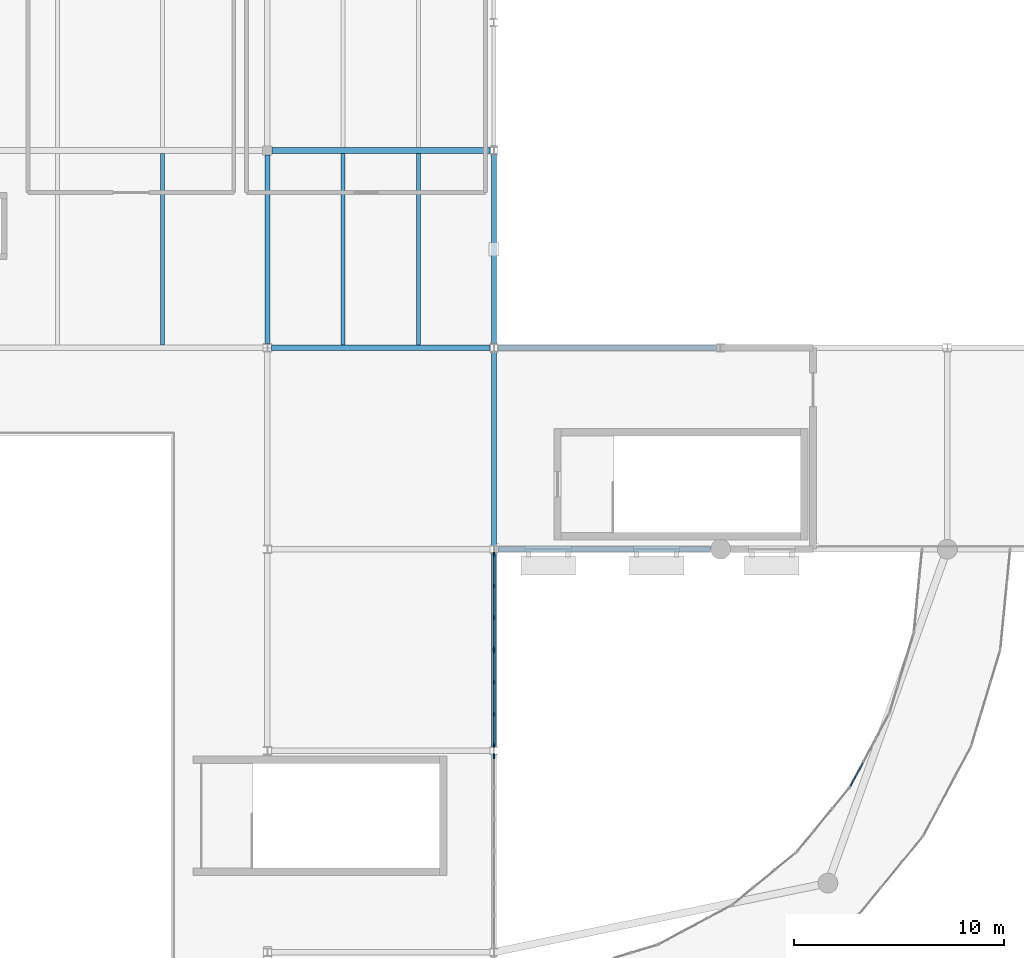
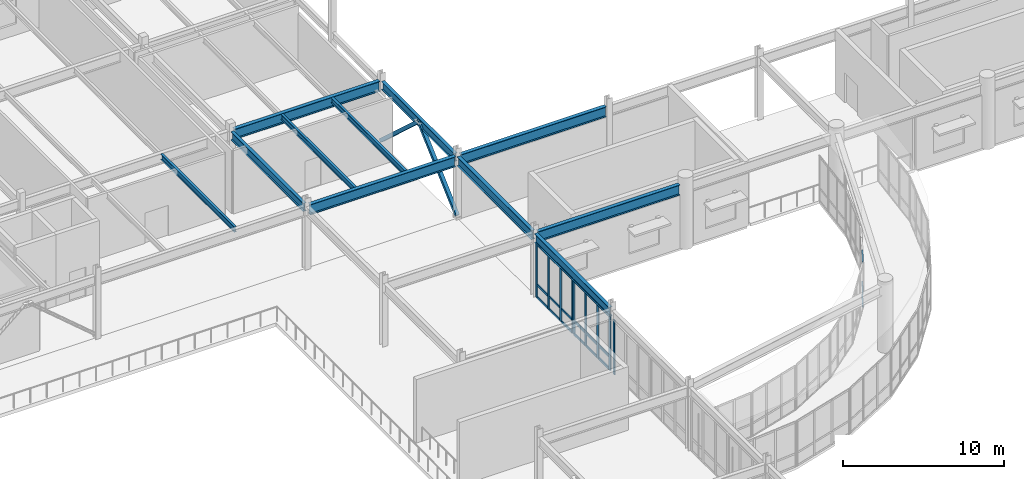
# One storey, part 24 of 68: 32 members, 11 beams, 4 elements without a shape of their own.
"""IFC4 building model written with IfcOpenShell, lengths in metres."""

from ifc_helpers import new_model, si_unit, direction, frame, origin, origin_2d, place, context, subcontext, project, spatial, rectangle, hollow_rectangle, i_section, extrude, material, material_profile, profile_set, type_object, element, aggregate, save


model = new_model("IFC4")

# Units and contexts
model_context = context("Model", 3, precision=1e-05, world=origin(), true_north=direction((0.0, 1.0)))
body_context = subcontext(model_context, "Body", "Model", "MODEL_VIEW")
ifc_project = project(units=[si_unit("LENGTHUNIT", "METRE"), si_unit("AREAUNIT", "SQUARE_METRE"), si_unit("VOLUMEUNIT", "CUBIC_METRE"), si_unit("PLANEANGLEUNIT", "RADIAN"), si_unit("MASSUNIT", "GRAM", prefix="KILO")], contexts=[model_context])

# Site, building, storey
site_placement = place(None, origin())
site = spatial("IfcSite", under=ifc_project, at=site_placement, CompositionType="ELEMENT")
building_placement = place(site_placement, origin())
building = spatial("IfcBuilding", under=site, at=building_placement, Name="Veldera Park Congress Hotel", CompositionType="ELEMENT")
storey_placement = place(building_placement, frame((0.0, 0.0, 10.800048828125)))
storey = spatial("IfcBuildingStorey", under=building, at=storey_placement, Name="L02", CompositionType="ELEMENT", Elevation=10.800048828125)

# Beams
ifc_material_1 = material(Name="Steel ASTM A992 Gr.50", Category="steel")
ifc_material_profile_1 = material_profile(ifc_material_1, i_section(OverallWidth=0.22998046875, OverallDepth=0.616943359375, WebThickness=0.01318359375, FlangeThickness=0.022216796875, at=origin_2d()), Name="W24X94")
ifc_profile_set_1 = profile_set([ifc_material_profile_1], Name="Steel ASTM A992 Gr.50")
beam_type_1 = type_object("IfcBeamType", Name="BM-W24B", PredefinedType="BEAM", material=ifc_profile_set_1)
beam_1_placement = place(storey_placement, frame((-12.39990234375, 27.196533203125, 4.491455078125), z_axis=(0.0, 1.0, 0.0), x_axis=(-1.0, 0.0, 0.0)))
element("IfcBeam", 1, at=beam_1_placement, inside=storey, type_object=beam_type_1, Name="L02 Girder BM-W24B 963", PredefinedType="BEAM", context=body_context, shape_type="SweptSolid", body=[
    extrude(i_section(OverallWidth=0.22998046875, OverallDepth=0.616943359375, WebThickness=0.01318359375, FlangeThickness=0.022216796875, at=origin_2d()), origin(), (0.0, 0.0, 1.0), 8.978515625),
])
beam_2_placement = place(storey_placement, frame((-1.60009765625, 27.18408203125, 4.491455078125), z_axis=(0.0, 1.0, 0.0), x_axis=(-1.0, 0.0, 0.0)))
element("IfcBeam", 2, at=beam_2_placement, inside=storey, type_object=beam_type_1, Name="L02 Girder BM-W24B 971", PredefinedType="BEAM", context=body_context, shape_type="SweptSolid", body=[
    extrude(i_section(OverallWidth=0.22998046875, OverallDepth=0.616943359375, WebThickness=0.01318359375, FlangeThickness=0.022216796875, at=origin_2d()), origin(), (0.0, 0.0, 1.0), 9.030029296875),
])
ifc_material_profile_2 = material_profile(ifc_material_1, i_section(OverallWidth=0.256103515625, OverallDepth=0.693115234375, WebThickness=0.014404296875, FlangeThickness=0.023681640625, at=origin_2d()), Name="W27X114")
ifc_profile_set_2 = profile_set([ifc_material_profile_2], Name="Steel ASTM A992 Gr.50")
beam_type_2 = type_object("IfcBeamType", Name="BM-W27", PredefinedType="BEAM", material=ifc_profile_set_2)
beam_3_placement = place(storey_placement, frame((-1.60009765625, 7.98388671875, 4.453369140625), z_axis=(0.0, 1.0, 0.0), x_axis=(-1.0, 0.0, 0.0)))
element("IfcBeam", 3, at=beam_3_placement, inside=storey, type_object=beam_type_2, Name="L02 Girder BM-W27 969", PredefinedType="BEAM", context=body_context, shape_type="SweptSolid", body=[
    extrude(i_section(OverallWidth=0.256103515625, OverallDepth=0.693115234375, WebThickness=0.014404296875, FlangeThickness=0.023681640625, at=origin_2d()), origin(), (0.0, 0.0, 1.0), 9.232177734375),
])
beam_4_placement = place(storey_placement, frame((-1.60009765625, 17.583984375, 4.453369140625), z_axis=(0.0, 1.0, 0.0), x_axis=(-1.0, 0.0, 0.0)))
element("IfcBeam", 4, at=beam_4_placement, inside=storey, type_object=beam_type_2, Name="L02 Girder BM-W27 970", PredefinedType="BEAM", context=body_context, shape_type="SweptSolid", body=[
    extrude(i_section(OverallWidth=0.256103515625, OverallDepth=0.693115234375, WebThickness=0.014404296875, FlangeThickness=0.023681640625, at=origin_2d()), origin(), (0.0, 0.0, 1.0), 9.23193359375),
])
ifc_material_profile_3 = material_profile(ifc_material_1, i_section(OverallWidth=0.26708984375, OverallDepth=0.779052734375, WebThickness=0.0166015625, FlangeThickness=0.030029296875, at=origin_2d()), Name="W30X148")
ifc_profile_set_3 = profile_set([ifc_material_profile_3], Name="Steel ASTM A992 Gr.50")
beam_type_3 = type_object("IfcBeamType", Name="BM-W30", PredefinedType="BEAM", material=ifc_profile_set_3)
beam_5_placement = place(storey_placement, frame((-1.41357421875, 17.39990234375, 4.410400390625), z_axis=(1.0, 0.0, 0.0), x_axis=(0.0, 1.0, 0.0)))
element("IfcBeam", 5, at=beam_5_placement, inside=storey, type_object=beam_type_3, Name="L02 Girder BM-W30 868", PredefinedType="BEAM", context=body_context, shape_type="SweptSolid", body=[
    extrude(i_section(OverallWidth=0.26708984375, OverallDepth=0.779052734375, WebThickness=0.0166015625, FlangeThickness=0.030029296875, at=origin_2d()), origin(), (0.0, 0.0, 1.0), 10.138671875),
])
beam_6_placement = place(storey_placement, frame((-12.200439453125, 27.0, 4.410400390625), z_axis=(1.0, 0.0, 0.0), x_axis=(0.0, 1.0, 0.0)))
element("IfcBeam", 6, at=beam_6_placement, inside=storey, type_object=beam_type_3, Name="L02 Girder BM-W30 882", PredefinedType="BEAM", context=body_context, shape_type="SweptSolid", body=[
    extrude(i_section(OverallWidth=0.26708984375, OverallDepth=0.779052734375, WebThickness=0.0166015625, FlangeThickness=0.030029296875, at=origin_2d()), origin(), (0.0, 0.0, 1.0), 10.413818359375),
])
beam_7_placement = place(storey_placement, frame((-1.41357421875, 27.0, 4.410400390625), z_axis=(1.0, 0.0, 0.0), x_axis=(0.0, 1.0, 0.0)))
element("IfcBeam", 7, at=beam_7_placement, inside=storey, type_object=beam_type_3, Name="L02 Girder BM-W30 883", PredefinedType="BEAM", context=body_context, shape_type="SweptSolid", body=[
    extrude(i_section(OverallWidth=0.26708984375, OverallDepth=0.779052734375, WebThickness=0.0166015625, FlangeThickness=0.030029296875, at=origin_2d()), origin(), (0.0, 0.0, 1.0), 10.4150390625),
])
beam_8_placement = place(storey_placement, frame((-12.175048828125, 36.39990234375, 4.410400390625), z_axis=(1.0, 0.0, 0.0), x_axis=(0.0, 1.0, 0.0)))
element("IfcBeam", 8, at=beam_8_placement, inside=storey, type_object=beam_type_3, Name="L02 Girder BM-W30 896", PredefinedType="BEAM", context=body_context, shape_type="SweptSolid", body=[
    extrude(i_section(OverallWidth=0.26708984375, OverallDepth=0.779052734375, WebThickness=0.0166015625, FlangeThickness=0.030029296875, at=origin_2d()), origin(), (0.0, 0.0, 1.0), 10.387939453125),
])

# Members
ifc_material_2 = material(Name="Steel ASTM A500 Gr.C", Category="steel")
ifc_material_profile_4 = material_profile(ifc_material_2, hollow_rectangle(XDim=0.25, YDim=0.25, WallThickness=0.01611328125, at=origin_2d()), Name="HSS250X250X16")
ifc_profile_set_4 = profile_set([ifc_material_profile_4], Name="Steel ASTM A500 Gr.C")
member_type_1 = type_object("IfcMemberType", Name="BRC-HSS250", PredefinedType="BRACE", material=ifc_profile_set_4)
for number, where, z_axis, x_axis, name in (
    (9, (-1.60009765625, 27.0, 0.199951171875), (0.0, 0.738466392775, 0.674290283736), (-1.0, 0.0, 0.0), "L02 Chevron Brace 15A"),
    (10, (-1.60009765625, 36.39990234375, 0.199951171875), (0.0, -0.738466392775, 0.674290283736), (1.0, 0.0, 0.0), "L02 Chevron Brace 15B"),
):
    element("IfcMember", number, at=place(storey_placement, frame(where, z_axis=z_axis, x_axis=x_axis)), inside=storey, type_object=member_type_1, Name=name, PredefinedType="BRACE", context=body_context, shape_type="SweptSolid", body=[
        extrude(hollow_rectangle(XDim=0.25, YDim=0.25, WallThickness=0.01611328125, at=origin_2d()), origin(), (0.0, 0.0, 1.0), 6.364501953125),
    ])

# Curtain wall, member
ifc_material_3 = material(Name="Low-E Triple Insulating Glass Unit (SHGC 0.22)", Category="glass")
curtain_wall_type_1 = type_object("IfcCurtainWallType", Name="CW-POD", PredefinedType="NOTDEFINED", material=ifc_material_3)
curtain_wall_1_placement = place(storey_placement, origin())
curtain_wall_1 = element("IfcCurtainWall", 11, at=curtain_wall_1_placement, inside=storey, type_object=curtain_wall_type_1, Name="L02 Curtain Wall CW3-V1E-L02-070", PredefinedType="NOTDEFINED")
ifc_material_4 = material(Name="Anodised Aluminium Alloy 6063-T6", Category="aluminium")
ifc_material_profile_5 = material_profile(ifc_material_4, rectangle(XDim=0.080078125, YDim=0.219970703125, at=origin_2d()), Name="ALU 80x220")
ifc_profile_set_5 = profile_set([ifc_material_profile_5], Name="Anodised Aluminium Alloy 6063-T6")
member_type_2 = type_object("IfcMemberType", Name="CWM-220", PredefinedType="MULLION", material=ifc_profile_set_5)
member_1_placement = place(storey_placement, frame((-1.60009765625, 7.535888671875, 0.0), z_axis=(0.0, 0.0, 1.0), x_axis=(-1.0, 0.0, 0.0)))
member_1 = element("IfcMember", 12, at=member_1_placement, type_object=member_type_2, Name="CW-POD mullion 4", PredefinedType="MULLION", context=body_context, shape_type="SweptSolid", body=[
    extrude(rectangle(XDim=0.080078125, YDim=0.219970703125, at=origin_2d()), origin(), (0.0, 0.0, 1.0), 4.10205078125),
])
aggregate(curtain_wall_1, [member_1])

# Curtain wall, members
curtain_wall_2_placement = place(storey_placement, origin())
curtain_wall_2 = element("IfcCurtainWall", 13, at=curtain_wall_2_placement, inside=storey, type_object=curtain_wall_type_1, Name="L02 Curtain Wall CW3-V1E-L02-071", PredefinedType="NOTDEFINED")
member_2_placement = place(storey_placement, frame((-1.60009765625, 8.06396484375, 0.0), z_axis=(0.0, 0.0, 1.0), x_axis=(-1.0, 0.0, 0.0)))
member_2 = element("IfcMember", 14, at=member_2_placement, type_object=member_type_2, Name="CW-POD mullion 1", PredefinedType="MULLION", context=body_context, shape_type="SweptSolid", body=[
    extrude(rectangle(XDim=0.080078125, YDim=0.219970703125, at=origin_2d()), origin(), (0.0, 0.0, 1.0), 4.10205078125),
])
member_3_placement = place(storey_placement, frame((-1.60009765625, 9.54443359375, 0.0), z_axis=(0.0, 0.0, 1.0), x_axis=(-1.0, 0.0, 0.0)))
member_3 = element("IfcMember", 15, at=member_3_placement, type_object=member_type_2, Name="CW-POD mullion 2", PredefinedType="MULLION", context=body_context, shape_type="SweptSolid", body=[
    extrude(rectangle(XDim=0.080078125, YDim=0.219970703125, at=origin_2d()), origin(), (0.0, 0.0, 1.0), 4.10205078125),
])
member_4_placement = place(storey_placement, frame((-1.60009765625, 11.064697265625, 0.0), z_axis=(0.0, 0.0, 1.0), x_axis=(-1.0, 0.0, 0.0)))
member_4 = element("IfcMember", 16, at=member_4_placement, type_object=member_type_2, Name="CW-POD mullion 3", PredefinedType="MULLION", context=body_context, shape_type="SweptSolid", body=[
    extrude(rectangle(XDim=0.080078125, YDim=0.219970703125, at=origin_2d()), origin(), (0.0, 0.0, 1.0), 4.10205078125),
])
member_5_placement = place(storey_placement, frame((-1.60009765625, 12.544921875, 0.0), z_axis=(0.0, 0.0, 1.0), x_axis=(-1.0, 0.0, 0.0)))
member_5 = element("IfcMember", 17, at=member_5_placement, type_object=member_type_2, Name="CW-POD mullion 4", PredefinedType="MULLION", context=body_context, shape_type="SweptSolid", body=[
    extrude(rectangle(XDim=0.080078125, YDim=0.219970703125, at=origin_2d()), origin(), (0.0, 0.0, 1.0), 4.10205078125),
])

curtain_wall_3_placement = place(storey_placement, origin())
curtain_wall_3 = element("IfcCurtainWall", 18, at=curtain_wall_3_placement, inside=storey, type_object=curtain_wall_type_1, Name="L02 Curtain Wall CW3-V1E-L02-072", PredefinedType="NOTDEFINED")
member_6_placement = place(storey_placement, frame((-1.60009765625, 12.655029296875, 0.0), z_axis=(0.0, 0.0, 1.0), x_axis=(-1.0, 0.0, 0.0)))
member_6 = element("IfcMember", 19, at=member_6_placement, type_object=member_type_2, Name="CW-POD mullion 1", PredefinedType="MULLION", context=body_context, shape_type="SweptSolid", body=[
    extrude(rectangle(XDim=0.080078125, YDim=0.219970703125, at=origin_2d()), origin(), (0.0, 0.0, 1.0), 4.10205078125),
])
member_7_placement = place(storey_placement, frame((-1.60009765625, 14.13525390625, 0.0), z_axis=(0.0, 0.0, 1.0), x_axis=(-1.0, 0.0, 0.0)))
member_7 = element("IfcMember", 20, at=member_7_placement, type_object=member_type_2, Name="CW-POD mullion 2", PredefinedType="MULLION", context=body_context, shape_type="SweptSolid", body=[
    extrude(rectangle(XDim=0.080078125, YDim=0.219970703125, at=origin_2d()), origin(), (0.0, 0.0, 1.0), 4.10205078125),
])
member_8_placement = place(storey_placement, frame((-1.60009765625, 15.65576171875, 0.0), z_axis=(0.0, 0.0, 1.0), x_axis=(-1.0, 0.0, 0.0)))
member_8 = element("IfcMember", 21, at=member_8_placement, type_object=member_type_2, Name="CW-POD mullion 3", PredefinedType="MULLION", context=body_context, shape_type="SweptSolid", body=[
    extrude(rectangle(XDim=0.080078125, YDim=0.219970703125, at=origin_2d()), origin(), (0.0, 0.0, 1.0), 4.10205078125),
])
member_9_placement = place(storey_placement, frame((-1.60009765625, 17.135986328125, 0.0), z_axis=(0.0, 0.0, 1.0), x_axis=(-1.0, 0.0, 0.0)))
member_9 = element("IfcMember", 22, at=member_9_placement, type_object=member_type_2, Name="CW-POD mullion 4", PredefinedType="MULLION", context=body_context, shape_type="SweptSolid", body=[
    extrude(rectangle(XDim=0.080078125, YDim=0.219970703125, at=origin_2d()), origin(), (0.0, 0.0, 1.0), 4.10205078125),
])

curtain_wall_type_2 = type_object("IfcCurtainWallType", Name="CW-BRG", PredefinedType="NOTDEFINED", material=ifc_material_3)
curtain_wall_4_placement = place(storey_placement, origin())
curtain_wall_4 = element("IfcCurtainWall", 23, at=curtain_wall_4_placement, inside=storey, type_object=curtain_wall_type_2, Name="L02 Curtain Wall CW3-BRGW-L02-B11", PredefinedType="NOTDEFINED")
ifc_material_profile_6 = material_profile(ifc_material_4, rectangle(XDim=0.06005859375, YDim=0.1201171875, at=origin_2d()), Name="ALU 60x120")
ifc_profile_set_6 = profile_set([ifc_material_profile_6], Name="Anodised Aluminium Alloy 6063-T6")
member_type_3 = type_object("IfcMemberType", Name="CWT-120", PredefinedType="USERDEFINED", material=ifc_profile_set_6)
member_10_placement = place(storey_placement, frame((15.976318359375, 7.215576171875, 0.030029296875), z_axis=(-0.471403611449, -0.881917589752, 0.0), x_axis=(0.881917589752, -0.471403611449, 0.0)))
member_10 = element("IfcMember", 24, at=member_10_placement, type_object=member_type_3, Name="CW-BRG transom 3.1", ObjectType="TRANSOM", PredefinedType="USERDEFINED", context=body_context, shape_type="SweptSolid", body=[
    extrude(rectangle(XDim=0.06005859375, YDim=0.1201171875, at=origin_2d()), origin(), (0.0, 0.0, 1.0), 1.242919921875),
])
member_11_placement = place(storey_placement, frame((15.976318359375, 7.215576171875, 1.0), z_axis=(-0.471403611449, -0.881917589752, 0.0), x_axis=(0.881917589752, -0.471403611449, 0.0)))
member_11 = element("IfcMember", 25, at=member_11_placement, type_object=member_type_3, Name="CW-BRG transom 3.2", ObjectType="TRANSOM", PredefinedType="USERDEFINED", context=body_context, shape_type="SweptSolid", body=[
    extrude(rectangle(XDim=0.06005859375, YDim=0.1201171875, at=origin_2d()), origin(), (0.0, 0.0, 1.0), 1.242919921875),
])
member_12_placement = place(storey_placement, frame((15.976318359375, 7.215576171875, 3.369873046875), z_axis=(-0.471403611449, -0.881917589752, 0.0), x_axis=(0.881917589752, -0.471403611449, 0.0)))
member_12 = element("IfcMember", 26, at=member_12_placement, type_object=member_type_3, Name="CW-BRG transom 3.3", ObjectType="TRANSOM", PredefinedType="USERDEFINED", context=body_context, shape_type="SweptSolid", body=[
    extrude(rectangle(XDim=0.06005859375, YDim=0.1201171875, at=origin_2d()), origin(), (0.0, 0.0, 1.0), 1.242919921875),
])
aggregate(curtain_wall_4, [member_10, member_11, member_12])

# Member
ifc_material_profile_7 = material_profile(ifc_material_4, rectangle(XDim=0.080078125, YDim=0.179931640625, at=origin_2d()), Name="ALU 80x180")
ifc_profile_set_7 = profile_set([ifc_material_profile_7], Name="Anodised Aluminium Alloy 6063-T6")
member_type_4 = type_object("IfcMemberType", Name="CWT-180", PredefinedType="USERDEFINED", material=ifc_profile_set_7)
member_13_placement = place(storey_placement, frame((-1.60009765625, 8.10400390625, 0.0400390625), z_axis=(0.0, 1.0, 0.0), x_axis=(-1.0, 0.0, 0.0)))
member_13 = element("IfcMember", 27, at=member_13_placement, type_object=member_type_4, Name="CW-POD transom 1.1", ObjectType="TRANSOM", PredefinedType="USERDEFINED", context=body_context, shape_type="SweptSolid", body=[
    extrude(rectangle(XDim=0.080078125, YDim=0.179931640625, at=origin_2d()), origin(), (0.0, 0.0, 1.0), 1.400390625),
])

member_14_placement = place(storey_placement, frame((-1.60009765625, 8.10400390625, 1.0), z_axis=(0.0, 1.0, 0.0), x_axis=(-1.0, 0.0, 0.0)))
member_14 = element("IfcMember", 28, at=member_14_placement, type_object=member_type_4, Name="CW-POD transom 1.2", ObjectType="TRANSOM", PredefinedType="USERDEFINED", context=body_context, shape_type="SweptSolid", body=[
    extrude(rectangle(XDim=0.080078125, YDim=0.179931640625, at=origin_2d()), origin(), (0.0, 0.0, 1.0), 1.400390625),
])

member_15_placement = place(storey_placement, frame((-1.60009765625, 8.10400390625, 4.06201171875), z_axis=(0.0, 1.0, 0.0), x_axis=(-1.0, 0.0, 0.0)))
member_15 = element("IfcMember", 29, at=member_15_placement, type_object=member_type_4, Name="CW-POD transom 1.3", ObjectType="TRANSOM", PredefinedType="USERDEFINED", context=body_context, shape_type="SweptSolid", body=[
    extrude(rectangle(XDim=0.080078125, YDim=0.179931640625, at=origin_2d()), origin(), (0.0, 0.0, 1.0), 1.400390625),
])

member_16_placement = place(storey_placement, frame((-1.60009765625, 9.584228515625, 0.0400390625), z_axis=(0.0, 1.0, 0.0), x_axis=(-1.0, 0.0, 0.0)))
member_16 = element("IfcMember", 30, at=member_16_placement, type_object=member_type_4, Name="CW-POD transom 2.1", ObjectType="TRANSOM", PredefinedType="USERDEFINED", context=body_context, shape_type="SweptSolid", body=[
    extrude(rectangle(XDim=0.080078125, YDim=0.179931640625, at=origin_2d()), origin(), (0.0, 0.0, 1.0), 1.4404296875),
])

member_17_placement = place(storey_placement, frame((-1.60009765625, 9.584228515625, 1.0), z_axis=(0.0, 1.0, 0.0), x_axis=(-1.0, 0.0, 0.0)))
member_17 = element("IfcMember", 31, at=member_17_placement, type_object=member_type_4, Name="CW-POD transom 2.2", ObjectType="TRANSOM", PredefinedType="USERDEFINED", context=body_context, shape_type="SweptSolid", body=[
    extrude(rectangle(XDim=0.080078125, YDim=0.179931640625, at=origin_2d()), origin(), (0.0, 0.0, 1.0), 1.4404296875),
])

member_18_placement = place(storey_placement, frame((-1.60009765625, 9.584228515625, 4.06201171875), z_axis=(0.0, 1.0, 0.0), x_axis=(-1.0, 0.0, 0.0)))
member_18 = element("IfcMember", 32, at=member_18_placement, type_object=member_type_4, Name="CW-POD transom 2.3", ObjectType="TRANSOM", PredefinedType="USERDEFINED", context=body_context, shape_type="SweptSolid", body=[
    extrude(rectangle(XDim=0.080078125, YDim=0.179931640625, at=origin_2d()), origin(), (0.0, 0.0, 1.0), 1.4404296875),
])

member_19_placement = place(storey_placement, frame((-1.60009765625, 11.104736328125, 0.0400390625), z_axis=(0.0, 1.0, 0.0), x_axis=(-1.0, 0.0, 0.0)))
member_19 = element("IfcMember", 33, at=member_19_placement, type_object=member_type_4, Name="CW-POD transom 3.1", ObjectType="TRANSOM", PredefinedType="USERDEFINED", context=body_context, shape_type="SweptSolid", body=[
    extrude(rectangle(XDim=0.080078125, YDim=0.179931640625, at=origin_2d()), origin(), (0.0, 0.0, 1.0), 1.400146484375),
])

member_20_placement = place(storey_placement, frame((-1.60009765625, 11.104736328125, 1.0), z_axis=(0.0, 1.0, 0.0), x_axis=(-1.0, 0.0, 0.0)))
member_20 = element("IfcMember", 34, at=member_20_placement, type_object=member_type_4, Name="CW-POD transom 3.2", ObjectType="TRANSOM", PredefinedType="USERDEFINED", context=body_context, shape_type="SweptSolid", body=[
    extrude(rectangle(XDim=0.080078125, YDim=0.179931640625, at=origin_2d()), origin(), (0.0, 0.0, 1.0), 1.400146484375),
])

member_21_placement = place(storey_placement, frame((-1.60009765625, 11.104736328125, 4.06201171875), z_axis=(0.0, 1.0, 0.0), x_axis=(-1.0, 0.0, 0.0)))
member_21 = element("IfcMember", 35, at=member_21_placement, type_object=member_type_4, Name="CW-POD transom 3.3", ObjectType="TRANSOM", PredefinedType="USERDEFINED", context=body_context, shape_type="SweptSolid", body=[
    extrude(rectangle(XDim=0.080078125, YDim=0.179931640625, at=origin_2d()), origin(), (0.0, 0.0, 1.0), 1.400146484375),
])

aggregate(curtain_wall_2, [member_2, member_3, member_4, member_5, member_13, member_14, member_15, member_16, member_17, member_18, member_19, member_20, member_21])

member_22_placement = place(storey_placement, frame((-1.60009765625, 12.695068359375, 0.0400390625), z_axis=(0.0, 1.0, 0.0), x_axis=(-1.0, 0.0, 0.0)))
member_22 = element("IfcMember", 36, at=member_22_placement, type_object=member_type_4, Name="CW-POD transom 1.1", ObjectType="TRANSOM", PredefinedType="USERDEFINED", context=body_context, shape_type="SweptSolid", body=[
    extrude(rectangle(XDim=0.080078125, YDim=0.179931640625, at=origin_2d()), origin(), (0.0, 0.0, 1.0), 1.400146484375),
])

member_23_placement = place(storey_placement, frame((-1.60009765625, 12.695068359375, 1.0), z_axis=(0.0, 1.0, 0.0), x_axis=(-1.0, 0.0, 0.0)))
member_23 = element("IfcMember", 37, at=member_23_placement, type_object=member_type_4, Name="CW-POD transom 1.2", ObjectType="TRANSOM", PredefinedType="USERDEFINED", context=body_context, shape_type="SweptSolid", body=[
    extrude(rectangle(XDim=0.080078125, YDim=0.179931640625, at=origin_2d()), origin(), (0.0, 0.0, 1.0), 1.400146484375),
])

member_24_placement = place(storey_placement, frame((-1.60009765625, 12.695068359375, 4.06201171875), z_axis=(0.0, 1.0, 0.0), x_axis=(-1.0, 0.0, 0.0)))
member_24 = element("IfcMember", 38, at=member_24_placement, type_object=member_type_4, Name="CW-POD transom 1.3", ObjectType="TRANSOM", PredefinedType="USERDEFINED", context=body_context, shape_type="SweptSolid", body=[
    extrude(rectangle(XDim=0.080078125, YDim=0.179931640625, at=origin_2d()), origin(), (0.0, 0.0, 1.0), 1.400146484375),
])

member_25_placement = place(storey_placement, frame((-1.60009765625, 14.17529296875, 0.0400390625), z_axis=(0.0, 1.0, 0.0), x_axis=(-1.0, 0.0, 0.0)))
member_25 = element("IfcMember", 39, at=member_25_placement, type_object=member_type_4, Name="CW-POD transom 2.1", ObjectType="TRANSOM", PredefinedType="USERDEFINED", context=body_context, shape_type="SweptSolid", body=[
    extrude(rectangle(XDim=0.080078125, YDim=0.179931640625, at=origin_2d()), origin(), (0.0, 0.0, 1.0), 1.4404296875),
])

member_26_placement = place(storey_placement, frame((-1.60009765625, 14.17529296875, 1.0), z_axis=(0.0, 1.0, 0.0), x_axis=(-1.0, 0.0, 0.0)))
member_26 = element("IfcMember", 40, at=member_26_placement, type_object=member_type_4, Name="CW-POD transom 2.2", ObjectType="TRANSOM", PredefinedType="USERDEFINED", context=body_context, shape_type="SweptSolid", body=[
    extrude(rectangle(XDim=0.080078125, YDim=0.179931640625, at=origin_2d()), origin(), (0.0, 0.0, 1.0), 1.4404296875),
])

member_27_placement = place(storey_placement, frame((-1.60009765625, 14.17529296875, 4.06201171875), z_axis=(0.0, 1.0, 0.0), x_axis=(-1.0, 0.0, 0.0)))
member_27 = element("IfcMember", 41, at=member_27_placement, type_object=member_type_4, Name="CW-POD transom 2.3", ObjectType="TRANSOM", PredefinedType="USERDEFINED", context=body_context, shape_type="SweptSolid", body=[
    extrude(rectangle(XDim=0.080078125, YDim=0.179931640625, at=origin_2d()), origin(), (0.0, 0.0, 1.0), 1.4404296875),
])

member_28_placement = place(storey_placement, frame((-1.60009765625, 15.695556640625, 0.0400390625), z_axis=(0.0, 1.0, 0.0), x_axis=(-1.0, 0.0, 0.0)))
member_28 = element("IfcMember", 42, at=member_28_placement, type_object=member_type_4, Name="CW-POD transom 3.1", ObjectType="TRANSOM", PredefinedType="USERDEFINED", context=body_context, shape_type="SweptSolid", body=[
    extrude(rectangle(XDim=0.080078125, YDim=0.179931640625, at=origin_2d()), origin(), (0.0, 0.0, 1.0), 1.400390625),
])

member_29_placement = place(storey_placement, frame((-1.60009765625, 15.695556640625, 1.0), z_axis=(0.0, 1.0, 0.0), x_axis=(-1.0, 0.0, 0.0)))
member_29 = element("IfcMember", 43, at=member_29_placement, type_object=member_type_4, Name="CW-POD transom 3.2", ObjectType="TRANSOM", PredefinedType="USERDEFINED", context=body_context, shape_type="SweptSolid", body=[
    extrude(rectangle(XDim=0.080078125, YDim=0.179931640625, at=origin_2d()), origin(), (0.0, 0.0, 1.0), 1.400390625),
])

member_30_placement = place(storey_placement, frame((-1.60009765625, 15.695556640625, 4.06201171875), z_axis=(0.0, 1.0, 0.0), x_axis=(-1.0, 0.0, 0.0)))
member_30 = element("IfcMember", 44, at=member_30_placement, type_object=member_type_4, Name="CW-POD transom 3.3", ObjectType="TRANSOM", PredefinedType="USERDEFINED", context=body_context, shape_type="SweptSolid", body=[
    extrude(rectangle(XDim=0.080078125, YDim=0.179931640625, at=origin_2d()), origin(), (0.0, 0.0, 1.0), 1.400390625),
])

aggregate(curtain_wall_3, [member_6, member_7, member_8, member_9, member_22, member_23, member_24, member_25, member_26, member_27, member_28, member_29, member_30])

# Beams
ifc_material_profile_8 = material_profile(ifc_material_1, i_section(OverallWidth=0.178955078125, OverallDepth=0.409912109375, WebThickness=0.0087890625, FlangeThickness=0.014404296875, at=origin_2d()), Name="W16X45")
ifc_profile_set_8 = profile_set([ifc_material_profile_8], Name="Steel ASTM A992 Gr.50")
beam_type_4 = type_object("IfcBeamType", Name="JST-W16", PredefinedType="JOIST", material=ifc_profile_set_8)
for number, where, z_axis, x_axis, name in (
    (45, (-17.39990234375, 27.133544921875, 4.594970703125), (0.0, 1.0, 0.0), (-1.0, 0.0, 0.0), "L02 Floor Joist JST-W16 1051"),
    (46, (-8.800048828125, 27.133544921875, 4.594970703125), (0.0, 1.0, 0.0), (-1.0, 0.0, 0.0), "L02 Floor Joist JST-W16 1052"),
    (47, (-5.199951171875, 27.133544921875, 4.594970703125), (0.0, 1.0, 0.0), (-1.0, 0.0, 0.0), "L02 Floor Joist JST-W16 1053"),
):
    element("IfcBeam", number, at=place(storey_placement, frame(where, z_axis=z_axis, x_axis=x_axis)), inside=storey, type_object=beam_type_4, Name=name, PredefinedType="JOIST", context=body_context, shape_type="SweptSolid", body=[
        extrude(i_section(OverallWidth=0.178955078125, OverallDepth=0.409912109375, WebThickness=0.0087890625, FlangeThickness=0.014404296875, at=origin_2d()), origin(), (0.0, 0.0, 1.0), 9.133056640625),
    ])

save(model, "model.ifc")
